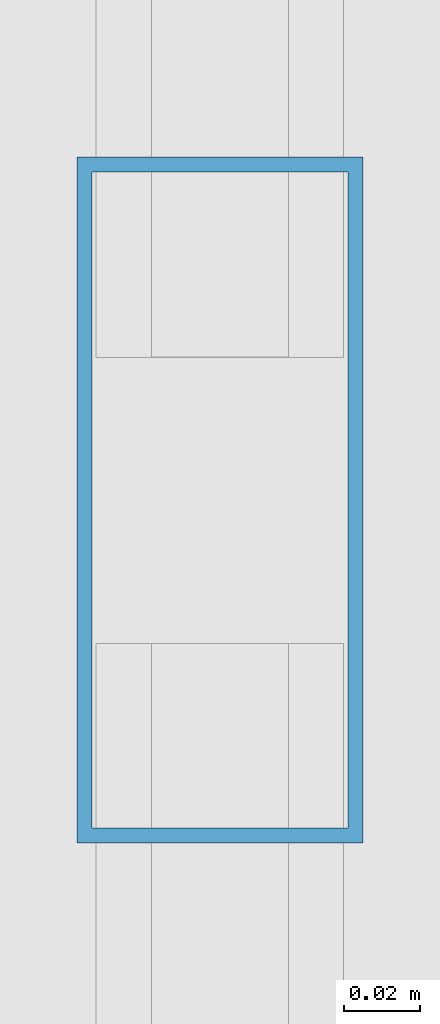
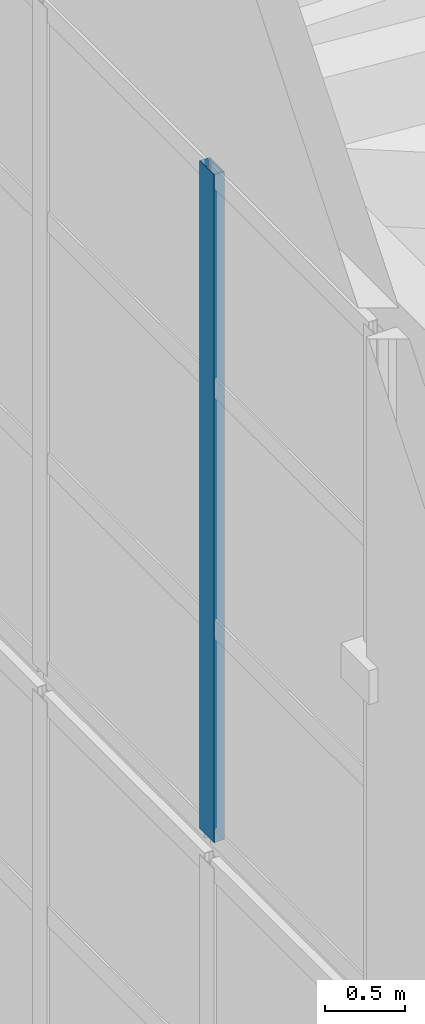
# One storey, part 6 of 47: 1 member, 1 element without a shape of its own.
"""IFC4 building model written with IfcOpenShell, lengths in metres."""

from ifc_helpers import new_model, si_unit, direction, frame, origin, origin_2d, place, context, subcontext, project, spatial, hollow_rectangle, extrude, material, layer, layer_set, material_profile, profile_set, type_object, element, aggregate, save


model = new_model("IFC4")

# Units and contexts
model_context = context("Model", 3, precision=1e-05, world=origin(), true_north=direction((0.0, 1.0)))
body_context = subcontext(model_context, "Body", "Model", "MODEL_VIEW")
ifc_project = project(units=[si_unit("LENGTHUNIT", "METRE"), si_unit("AREAUNIT", "SQUARE_METRE"), si_unit("VOLUMEUNIT", "CUBIC_METRE"), si_unit("PLANEANGLEUNIT", "RADIAN"), si_unit("MASSUNIT", "GRAM", prefix="KILO")], contexts=[model_context])

# Site, building, storey
site_placement = place(None, origin())
site = spatial("IfcSite", under=ifc_project, at=site_placement, CompositionType="ELEMENT")
building_placement = place(site_placement, origin())
building = spatial("IfcBuilding", under=site, at=building_placement, Name="Qiaolan Cultural Towers", CompositionType="ELEMENT")
storey_placement = place(building_placement, frame((0.0, 0.0, 280.199951171875)))
storey = spatial("IfcBuildingStorey", under=building, at=storey_placement, Name="RF", CompositionType="ELEMENT", Elevation=280.199951171875)

# Curtain wall, member
ifc_material_1 = material(Name="Unitized Anodized Aluminium Curtain Wall System", Category="aluminium")
ifc_layer = layer(ifc_material_1, 0.199951171875)
ifc_layer_set = layer_set([ifc_layer], Name="Unitized Anodized Aluminium Curtain Wall System")
curtain_wall_type = type_object("IfcCurtainWallType", Name="CWS-06", PredefinedType="NOTDEFINED", material=ifc_layer_set)
curtain_wall_placement = place(storey_placement, origin())
curtain_wall = element("IfcCurtainWall", 1, at=curtain_wall_placement, inside=storey, type_object=curtain_wall_type, Name="T1 Crown Tier 5 Fritted Screen Curtain Wall 7", PredefinedType="NOTDEFINED")
ifc_material_2 = material(Name="Extruded Aluminium 6063-T6", Category="aluminium")
ifc_material_profile = material_profile(ifc_material_2, hollow_rectangle(XDim=0.074951171875, YDim=0.179931640625, WallThickness=0.00390625, at=origin_2d()), Name="CWM-180x75x4")
ifc_profile_set = profile_set([ifc_material_profile], Name="Extruded Aluminium 6063-T6")
member_type = type_object("IfcMemberType", Name="CWS-06-MUL", PredefinedType="MULLION", material=ifc_profile_set)
member_placement = place(storey_placement, frame((14.949951171875, 29.820068359375, 21.300048828125), z_axis=(0.0, 0.0, 1.0), x_axis=(1.0, 0.0, 0.0)))
member = element("IfcMember", 2, at=member_placement, type_object=member_type, Name="CW-6 mullion 6", PredefinedType="MULLION", context=body_context, shape_type="SweptSolid", body=[
    extrude(hollow_rectangle(XDim=0.074951171875, YDim=0.179931640625, WallThickness=0.00390625, at=origin_2d()), origin(), (0.0, 0.0, 1.0), 5.10009765625),
])
aggregate(curtain_wall, [member])

save(model, "model.ifc")
